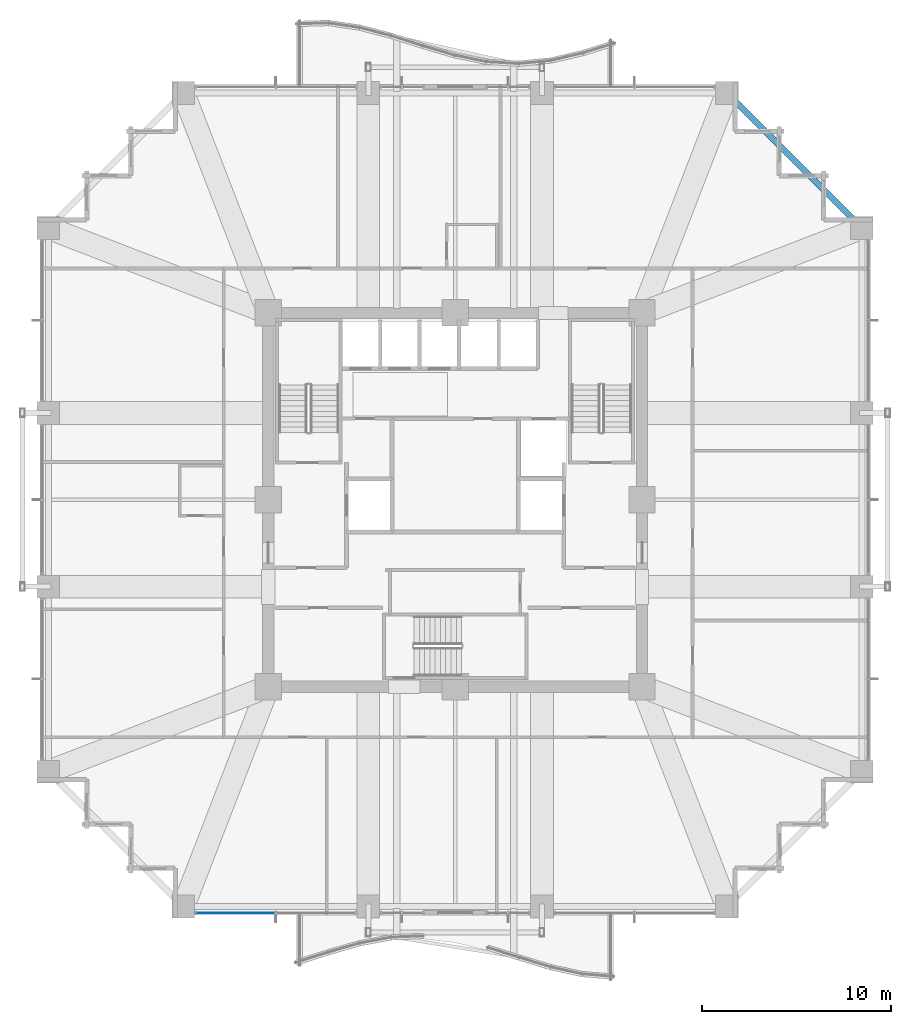
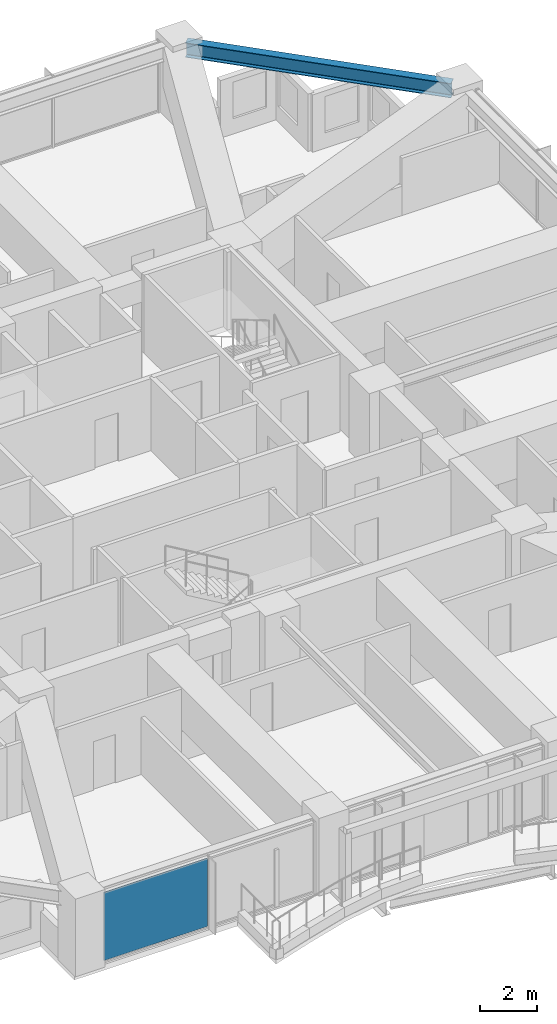
# One storey, part 25 of 37: 1 beam, 1 plate, 1 element without a shape of its own.
"""IFC4 building model written with IfcOpenShell, lengths in metres."""

from ifc_helpers import new_model, si_unit, direction, frame, origin, origin_2d, place, context, subcontext, project, spatial, rectangle, i_section, extrude, material, layer, layer_set, material_profile, profile_set, type_object, element, aggregate, save


model = new_model("IFC4")

# Units and contexts
model_context = context("Model", 3, precision=1e-05, world=origin(), true_north=direction((0.0, 1.0)))
body_context = subcontext(model_context, "Body", "Model", "MODEL_VIEW")
ifc_project = project(units=[si_unit("LENGTHUNIT", "METRE"), si_unit("AREAUNIT", "SQUARE_METRE"), si_unit("VOLUMEUNIT", "CUBIC_METRE"), si_unit("PLANEANGLEUNIT", "RADIAN"), si_unit("MASSUNIT", "GRAM", prefix="KILO")], contexts=[model_context])

# Site, building, storey
site_placement = place(None, origin())
site = spatial("IfcSite", under=ifc_project, at=site_placement, CompositionType="ELEMENT")
building_placement = place(site_placement, origin())
building = spatial("IfcBuilding", under=site, at=building_placement, Name="Kolvaren Belvedere", CompositionType="ELEMENT")
storey_placement = place(building_placement, frame((0.0, 0.0, 56.800048828125)))
storey = spatial("IfcBuildingStorey", under=building, at=storey_placement, Name="L16", CompositionType="ELEMENT", Elevation=56.800048828125)

# Beam
ifc_material_1 = material(Name="Structural steel ASTM A992 Grade 50", Category="steel")
ifc_material_profile = material_profile(ifc_material_1, i_section(OverallWidth=0.324951171875, OverallDepth=0.615966796875, WebThickness=0.013916015625, FlangeThickness=0.021484375, FilletRadius=0.02001953125, at=origin_2d()), Name="W24X117")
ifc_profile_set = profile_set([ifc_material_profile], Name="Structural steel ASTM A992 Grade 50")
beam_type = type_object("IfcBeamType", Name="BM-SPAN-W24X117", PredefinedType="SPANDREL", material=ifc_profile_set)
beam_placement = place(storey_placement, frame((21.359130859375, 14.5908203125, 2.751953125), z_axis=(-0.707106781187, 0.707106781187, 0.0), x_axis=(-0.707106781187, -0.707106781187, 0.0)))
element("IfcBeam", 1, at=beam_placement, inside=storey, type_object=beam_type, Name="L16 Perimeter Spandrel E4-N4", PredefinedType="SPANDREL", context=body_context, shape_type="SweptSolid", body=[
    extrude(i_section(OverallWidth=0.324951171875, OverallDepth=0.615966796875, WebThickness=0.013916015625, FlangeThickness=0.021484375, FilletRadius=0.02001953125, at=origin_2d()), origin(), (0.0, 0.0, 1.0), 9.57177734375),
])

# Curtain wall, plate
ifc_material_2 = material(Name="Anodised pale-metal aluminium AA 6063-T6", Category="aluminium")
curtain_wall_type = type_object("IfcCurtainWallType", Name="CW-Z1-LOW", PredefinedType="NOTDEFINED", material=ifc_material_2)
curtain_wall_placement = place(storey_placement, origin())
curtain_wall = element("IfcCurtainWall", 2, at=curtain_wall_placement, inside=storey, type_object=curtain_wall_type, Name="L16 Unitised Curtain Wall FCW-L16-S2-B2", PredefinedType="NOTDEFINED")
ifc_material_3 = material(Name="Low-iron triple insulated glass", Category="glass")
ifc_layer = layer(ifc_material_3, 0.028076171875)
ifc_layer_set = layer_set([ifc_layer], Name="Low-iron triple insulated glass")
plate_type = type_object("IfcPlateType", Name="CW-PNL-VIS28", PredefinedType="CURTAIN_PANEL", material=ifc_layer_set)
plate_placement = place(storey_placement, frame((-11.62255859375, -21.8798828125, 0.080078125), z_axis=(0.0, 0.0, 1.0), x_axis=(-1.0, 0.0, 0.0)))
plate = element("IfcPlate", 3, at=plate_placement, type_object=plate_type, Name="FCW-L16-S2-B2 Vision Glazing Panel 2", PredefinedType="CURTAIN_PANEL", context=body_context, shape_type="SweptSolid", body=[
    extrude(rectangle(XDim=4.1650390625, YDim=0.028076171875, at=origin_2d()), origin(), (0.0, 0.0, 1.0), 2.89990234375),
])
aggregate(curtain_wall, [plate])

save(model, "model.ifc")
